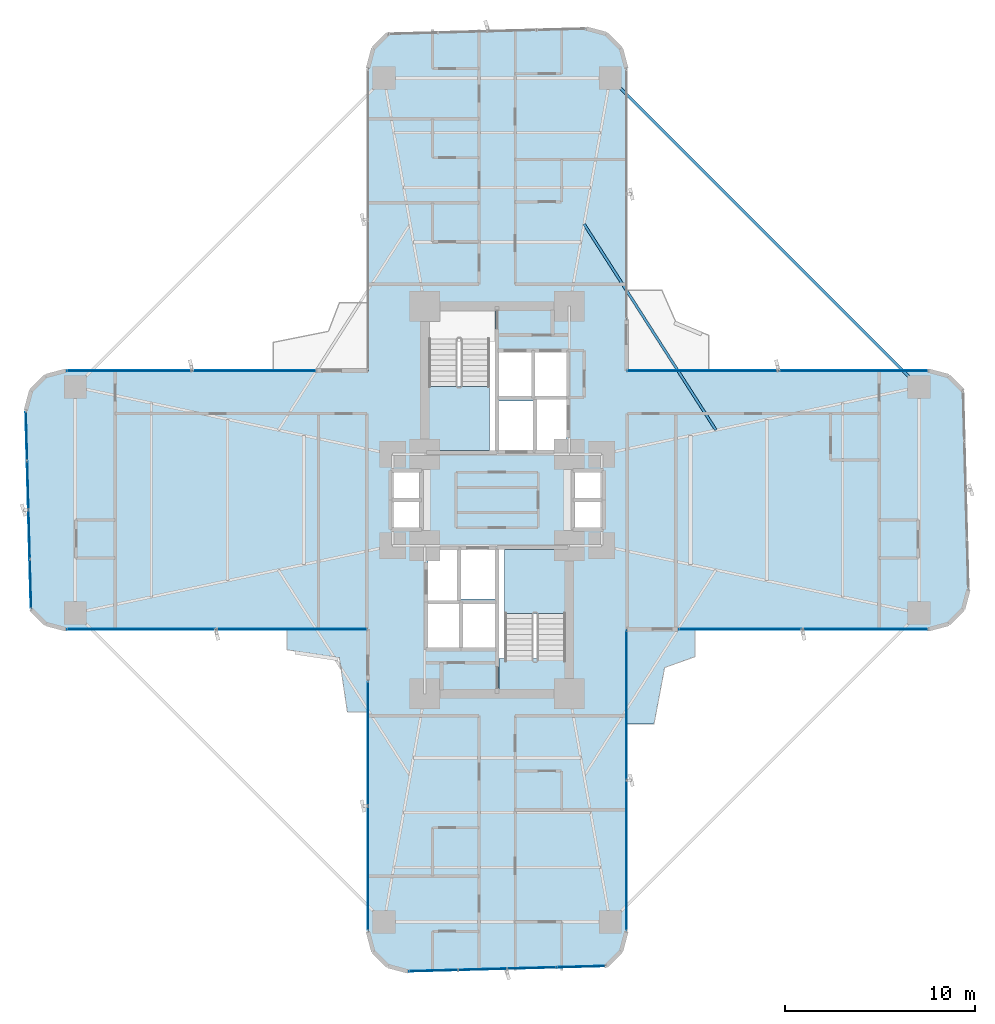
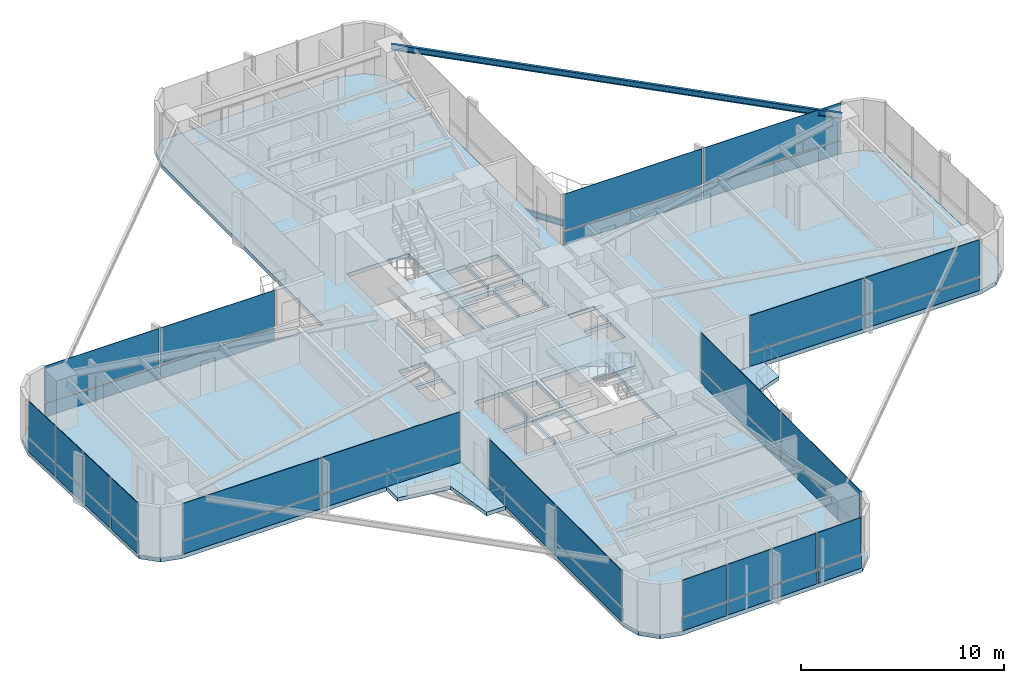
# One storey, part 20 of 25: 40 plates, 6 slabs, 2 beams, 10 elements without a shape of their own.
"""IFC4 building model written with IfcOpenShell, lengths in metres."""

from ifc_helpers import new_model, si_unit, direction, frame, origin, origin_2d, place, context, subcontext, project, spatial, polyline, rectangle, i_section, outline, extrude, source, transform, mapped, material, layer, layer_set, material_profile, profile_set, type_object, element, aggregate, save


model = new_model("IFC4")

# Units and contexts
model_context = context("Model", 3, precision=1e-05, world=origin(), true_north=direction((0.0, 1.0)))
body_context = subcontext(model_context, "Body", "Model", "MODEL_VIEW")
ifc_project = project(units=[si_unit("LENGTHUNIT", "METRE"), si_unit("AREAUNIT", "SQUARE_METRE"), si_unit("VOLUMEUNIT", "CUBIC_METRE"), si_unit("PLANEANGLEUNIT", "RADIAN"), si_unit("MASSUNIT", "GRAM", prefix="KILO")], contexts=[model_context])

# Site, building, storey
site_placement = place(None, origin())
site = spatial("IfcSite", under=ifc_project, at=site_placement, CompositionType="ELEMENT")
building_placement = place(site_placement, origin())
building = spatial("IfcBuilding", under=site, at=building_placement, Name="Sahyath Konkavel Grand Hotel", CompositionType="ELEMENT")
storey_placement = place(building_placement, frame((0.0, 0.0, 36.5)))
storey = spatial("IfcBuildingStorey", under=building, at=storey_placement, Name="L09", CompositionType="ELEMENT", Elevation=36.5)

# Beams
ifc_material_1 = material(Name="Steel E350", Category="steel")
ifc_material_profile_1 = material_profile(ifc_material_1, i_section(OverallWidth=0.139892578125, OverallDepth=0.35009765625, WebThickness=0.008056640625, FlangeThickness=0.01416015625, FilletRadius=0.013916015625, at=origin_2d()), Name="ISMB 350")
ifc_profile_set_1 = profile_set([ifc_material_profile_1], Name="Steel E350")
beam_type_1 = type_object("IfcBeamType", Name="BM-ISMB350", PredefinedType="BEAM", material=ifc_profile_set_1)
shared_shape_1 = source(origin(), body_context, "Body", "SweptSolid", [
    extrude(i_section(OverallWidth=0.139892578125, OverallDepth=0.35009765625, WebThickness=0.008056640625, FlangeThickness=0.01416015625, FilletRadius=0.013916015625, at=origin_2d()), origin(), (0.0, 0.0, 1.0), 22.98095703125),
])
beam_1_placement = place(storey_placement, frame((22.199951171875, 5.949951171875, 2.93505859375), z_axis=(-0.707106781187, 0.707106781187, 0.0), x_axis=(-0.707106781187, -0.707106781187, 0.0)))
element("IfcBeam", 1, at=beam_1_placement, inside=storey, type_object=beam_type_1, Name="L09 Re-Entrant Tie Beam NE", PredefinedType="BEAM", context=body_context, shape_type="MappedRepresentation", body=[
    mapped(shared_shape_1, transform((0.0, 0.0, 0.0), scale=1.0)),
])
ifc_material_profile_2 = material_profile(ifc_material_1, i_section(OverallWidth=0.139892578125, OverallDepth=0.35009765625, WebThickness=0.008056640625, FlangeThickness=0.01416015625, FilletRadius=0.013916015625, at=origin_2d()), Name="ISMB 350")
ifc_profile_set_2 = profile_set([ifc_material_profile_2], Name="Steel E350")
beam_type_2 = type_object("IfcBeamType", Name="BM-BALC-CANT", PredefinedType="BEAM", material=ifc_profile_set_2)
shared_shape_2 = source(origin(), body_context, "Body", "SweptSolid", [
    extrude(i_section(OverallWidth=0.139892578125, OverallDepth=0.35009765625, WebThickness=0.008056640625, FlangeThickness=0.01416015625, FilletRadius=0.013916015625, at=origin_2d()), origin(), (0.0, 0.0, 1.0), 12.871826171875),
])
beam_2_placement = place(storey_placement, frame((11.511962890625, 3.677978515625, -0.4150390625), z_axis=(-0.539003102535, 0.842303778608, 0.0), x_axis=(-0.842303778608, -0.539003102535, 0.0)))
element("IfcBeam", 2, at=beam_2_placement, inside=storey, type_object=beam_type_2, Name="L09 Balcony Cantilever Support Beam NE", PredefinedType="BEAM", context=body_context, shape_type="MappedRepresentation", body=[
    mapped(shared_shape_2, transform((0.0, 0.0, 0.0), scale=1.0)),
])

# Slabs
ifc_material_2 = material(Name="Concrete C40/50", Category="concrete")
ifc_layer_1 = layer(ifc_material_2, 0.239990234375)
ifc_layer_set_1 = layer_set([ifc_layer_1], Name="Concrete C40/50")
slab_type_1 = type_object("IfcSlabType", Name="SLB-240", PredefinedType="FLOOR", material=ifc_layer_set_1)
slab_1_placement = place(storey_placement, frame((0.0, 0.0, -0.239990234375)))
element("IfcSlab", 3, at=slab_1_placement, inside=storey, type_object=slab_type_1, Name="L09 Structural Floor Slab", PredefinedType="FLOOR", context=body_context, shape_type="SweptSolid", body=[
    extrude(outline(polyline([(6.800048828125, -6.800048828125), (22.699951171875, -6.800048828125), (23.75, -6.518798828125), (24.518798828125, -5.75), (24.800048828125, -4.699951171875), (24.518798828125, 5.75), (23.75, 6.518798828125), (22.699951171875, 6.800048828125), (6.800048828125, 6.800048828125), (6.800048828125, 22.699951171875), (6.518798828125, 23.75), (5.75, 24.518798828125), (4.699951171875, 24.800048828125), (-5.75, 24.518798828125), (-6.518798828125, 23.75), (-6.800048828125, 22.699951171875), (-6.800048828125, 6.800048828125), (-22.699951171875, 6.800048828125), (-23.75, 6.518798828125), (-24.518798828125, 5.75), (-24.800048828125, 4.699951171875), (-24.518798828125, -5.75), (-23.75, -6.518798828125), (-22.699951171875, -6.800048828125), (-6.800048828125, -6.800048828125), (-6.800048828125, -22.699951171875), (-6.518798828125, -23.75), (-5.75, -24.518798828125), (-4.699951171875, -24.800048828125), (5.75, -24.518798828125), (6.518798828125, -23.75), (6.800048828125, -22.699951171875), (6.800048828125, -6.800048828125)]), holes=[polyline([(-3.6201171875, 2.580078125), (-0.10009765625, 2.580078125), (-0.10009765625, 10.02001953125), (-3.6201171875, 10.02001953125), (-3.6201171875, 2.580078125)]), polyline([(0.10009765625, -10.02001953125), (3.6201171875, -10.02001953125), (3.6201171875, -2.580078125), (0.10009765625, -2.580078125), (0.10009765625, -10.02001953125)]), polyline([(0.10009765625, 2.60009765625), (1.949951171875, 2.60009765625), (1.949951171875, 5.199951171875), (0.10009765625, 5.199951171875), (0.10009765625, 2.60009765625)]), polyline([(-1.949951171875, -5.199951171875), (-0.10009765625, -5.199951171875), (-0.10009765625, -2.60009765625), (-1.949951171875, -2.60009765625), (-1.949951171875, -5.199951171875)]), polyline([(2.050048828125, 2.60009765625), (3.64990234375, 2.60009765625), (3.64990234375, 5.300048828125), (2.050048828125, 5.300048828125), (2.050048828125, 2.60009765625)]), polyline([(-3.64990234375, -5.300048828125), (-2.050048828125, -5.300048828125), (-2.050048828125, -2.60009765625), (-3.64990234375, -2.60009765625), (-3.64990234375, -5.300048828125)]), polyline([(0.10009765625, 5.449951171875), (1.85009765625, 5.449951171875), (1.85009765625, 7.75), (0.10009765625, 7.75), (0.10009765625, 5.449951171875)]), polyline([(1.949951171875, 5.449951171875), (3.64990234375, 5.449951171875), (3.64990234375, 7.75), (1.949951171875, 7.75), (1.949951171875, 5.449951171875)]), polyline([(-3.64990234375, -7.75), (-1.949951171875, -7.75), (-1.949951171875, -5.449951171875), (-3.64990234375, -5.449951171875), (-3.64990234375, -7.75)]), polyline([(-1.85009765625, -7.75), (-0.10009765625, -7.75), (-0.10009765625, -5.449951171875), (-1.85009765625, -5.449951171875), (-1.85009765625, -7.75)]), polyline([(4.050048828125, 0.080078125), (5.550048828125, 0.080078125), (5.550048828125, 1.5400390625), (4.050048828125, 1.5400390625), (4.050048828125, 0.080078125)]), polyline([(4.050048828125, -1.5400390625), (5.550048828125, -1.5400390625), (5.550048828125, -0.080078125), (4.050048828125, -0.080078125), (4.050048828125, -1.5400390625)]), polyline([(-5.550048828125, 0.080078125), (-4.050048828125, 0.080078125), (-4.050048828125, 1.5400390625), (-5.550048828125, 1.5400390625), (-5.550048828125, 0.080078125)]), polyline([(-5.550048828125, -1.5400390625), (-4.050048828125, -1.5400390625), (-4.050048828125, -0.080078125), (-5.550048828125, -0.080078125), (-5.550048828125, -1.5400390625)])]), origin(), (0.0, 0.0, 1.0), 0.239990234375),
])
ifc_layer_2 = layer(ifc_material_2, 0.219970703125)
ifc_layer_set_2 = layer_set([ifc_layer_2], Name="Concrete C40/50")
slab_type_2 = type_object("IfcSlabType", Name="SLB-BALCONY-220", PredefinedType="FLOOR", material=ifc_layer_set_2)
slab_2_placement = place(storey_placement, frame((0.0, 0.0, -0.219970703125)))
element("IfcSlab", 4, at=slab_2_placement, inside=storey, type_object=slab_type_2, Name="L09 Winter-Garden Balcony SW", PredefinedType="FLOOR", context=body_context, shape_type="SweptSolid", body=[
    extrude(outline(polyline([(-6.800048828125, -6.800048828125), (-11.055908203125, -6.800048828125), (-11.055908203125, -7.880615234375), (-8.301025390625, -8.301025390625), (-7.880615234375, -11.14404296875), (-6.800048828125, -11.14404296875), (-6.800048828125, -6.800048828125)])), origin(), (0.0, 0.0, 1.0), 0.219970703125),
])
slab_3_placement = place(storey_placement, frame((0.0, 0.0, -0.219970703125)))
element("IfcSlab", 5, at=slab_3_placement, inside=storey, type_object=slab_type_2, Name="L09 Winter-Garden Balcony SE", PredefinedType="FLOOR", context=body_context, shape_type="SweptSolid", body=[
    extrude(outline(polyline([(6.800048828125, -6.800048828125), (6.800048828125, -11.799072265625), (8.250732421875, -11.799072265625), (8.81494140625, -8.81494140625), (10.40087890625, -8.250732421875), (10.40087890625, -6.800048828125), (6.800048828125, -6.800048828125)])), origin(), (0.0, 0.0, 1.0), 0.219970703125),
])

# Stair, slab
stair_type = type_object("IfcStairType", Name="STR-ST16-335", PredefinedType="HALF_TURN_STAIR", material=ifc_material_2)
stair_1_placement = place(storey_placement, origin())
stair_1 = element("IfcStair", 6, at=stair_1_placement, inside=storey, type_object=stair_type, Name="L09 North Core Smokeproof Exit Stair ST-1", PredefinedType="HALF_TURN_STAIR")
ifc_layer_3 = layer(ifc_material_2, 0.199951171875)
ifc_layer_set_3 = layer_set([ifc_layer_3], Name="Concrete C40/50")
slab_type_3 = type_object("IfcSlabType", Name="SLB-STAIR-LND", PredefinedType="LANDING", material=ifc_layer_set_3)
slab_4_placement = place(storey_placement, frame((0.0, 0.0, 1.47509765625)))
slab_4 = element("IfcSlab", 7, at=slab_4_placement, type_object=slab_type_3, Name="ST-1 landing 1", PredefinedType="LANDING", context=body_context, shape_type="SweptSolid", body=[
    extrude(outline(polyline([(-3.60009765625, 5.9599609375), (-3.60009765625, 2.60009765625), (-0.39990234375, 2.60009765625), (-0.39990234375, 5.9599609375), (-3.60009765625, 5.9599609375)])), origin(), (0.0, 0.0, 1.0), 0.199951171875),
])
aggregate(stair_1, [slab_4])

stair_2_placement = place(storey_placement, origin())
stair_2 = element("IfcStair", 8, at=stair_2_placement, inside=storey, type_object=stair_type, Name="L09 South Core Smokeproof Exit Stair ST-2", PredefinedType="HALF_TURN_STAIR")
slab_5_placement = place(storey_placement, frame((0.0, 0.0, 1.47509765625)))
slab_5 = element("IfcSlab", 9, at=slab_5_placement, type_object=slab_type_3, Name="ST-2 landing 1", PredefinedType="LANDING", context=body_context, shape_type="SweptSolid", body=[
    extrude(outline(polyline([(3.60009765625, -5.9599609375), (3.60009765625, -2.60009765625), (0.39990234375, -2.60009765625), (0.39990234375, -5.9599609375), (3.60009765625, -5.9599609375)])), origin(), (0.0, 0.0, 1.0), 0.199951171875),
])
aggregate(stair_2, [slab_5])

# Slab
slab_6_placement = place(storey_placement, frame((0.0, 0.0, -0.199951171875)))
element("IfcSlab", 10, at=slab_6_placement, inside=storey, type_object=slab_type_3, Name="L09 Stair ST-2 Floor Landing Slab", PredefinedType="LANDING", context=body_context, shape_type="SweptSolid", body=[
    extrude(outline(polyline([(0.10009765625, -10.02001953125), (3.6201171875, -10.02001953125), (3.6201171875, -8.35009765625), (0.10009765625, -8.35009765625), (0.10009765625, -10.02001953125)])), origin(), (0.0, 0.0, 1.0), 0.199951171875),
])

# Curtain wall, plates
ifc_material_3 = material(Name="Anodised Bronze Aluminium & Low-E Glazing", Category="aluminium")
curtain_wall_type = type_object("IfcCurtainWallType", Name="CW-ZONE1", PredefinedType="NOTDEFINED", material=ifc_material_3)
curtain_wall_1_placement = place(storey_placement, origin())
curtain_wall_1 = element("IfcCurtainWall", 11, at=curtain_wall_1_placement, inside=storey, type_object=curtain_wall_type, Name="L09 Unitised Curtain Wall F7", PredefinedType="NOTDEFINED")
ifc_material_4 = material(Name="Warm Buff Sandstone Cladding", Category="masonry")
ifc_layer_4 = layer(ifc_material_4, 0.074951171875)
ifc_layer_set_4 = layer_set([ifc_layer_4], Name="Warm Buff Sandstone Cladding")
plate_type_1 = type_object("IfcPlateType", Name="PNL-SPANDREL-STONE", PredefinedType="SHEET", material=ifc_layer_set_4)
shared_shape_3 = source(origin(), body_context, "Body", "SweptSolid", [
    extrude(rectangle(XDim=7.830078125, YDim=0.074951171875, at=origin_2d()), origin(), (0.0, 0.0, 1.0), 0.77001953125),
])
plate_1_placement = place(storey_placement, frame((18.705078125, 6.800048828125, 0.0400390625), z_axis=(0.0, 0.0, 1.0), x_axis=(-1.0, 0.0, 0.0)))
plate_1 = element("IfcPlate", 12, at=plate_1_placement, type_object=plate_type_1, Name="L09 Sandstone Relief Spandrel Panel F7-0", PredefinedType="SHEET", context=body_context, shape_type="MappedRepresentation", body=[
    mapped(shared_shape_3, transform((0.0, 0.0, 0.0), scale=1.0)),
])
plate_2_placement = place(storey_placement, frame((10.794921875, 6.800048828125, 0.0400390625), z_axis=(0.0, 0.0, 1.0), x_axis=(-1.0, 0.0, 0.0)))
plate_2 = element("IfcPlate", 13, at=plate_2_placement, type_object=plate_type_1, Name="L09 Sandstone Relief Spandrel Panel F7-1", PredefinedType="SHEET", context=body_context, shape_type="MappedRepresentation", body=[
    mapped(shared_shape_3, transform((0.0, 0.0, 0.0), scale=1.0)),
])

curtain_wall_2_placement = place(storey_placement, origin())
curtain_wall_2 = element("IfcCurtainWall", 14, at=curtain_wall_2_placement, inside=storey, type_object=curtain_wall_type, Name="L09 Unitised Curtain Wall F23", PredefinedType="NOTDEFINED")
plate_3_placement = place(storey_placement, frame((-18.705078125, -6.800048828125, 0.0400390625), z_axis=(0.0, 0.0, 1.0), x_axis=(1.0, 0.0, 0.0)))
plate_3 = element("IfcPlate", 15, at=plate_3_placement, type_object=plate_type_1, Name="L09 Sandstone Relief Spandrel Panel F23-0", PredefinedType="SHEET", context=body_context, shape_type="MappedRepresentation", body=[
    mapped(shared_shape_3, transform((0.0, 0.0, 0.0), scale=1.0)),
])
plate_4_placement = place(storey_placement, frame((-10.794921875, -6.800048828125, 0.0400390625), z_axis=(0.0, 0.0, 1.0), x_axis=(1.0, 0.0, 0.0)))
plate_4 = element("IfcPlate", 16, at=plate_4_placement, type_object=plate_type_1, Name="L09 Sandstone Relief Spandrel Panel F23-1", PredefinedType="SHEET", context=body_context, shape_type="MappedRepresentation", body=[
    mapped(shared_shape_3, transform((0.0, 0.0, 0.0), scale=1.0)),
])

curtain_wall_3_placement = place(storey_placement, origin())
curtain_wall_3 = element("IfcCurtainWall", 17, at=curtain_wall_3_placement, inside=storey, type_object=curtain_wall_type, Name="L09 Unitised Curtain Wall F31", PredefinedType="NOTDEFINED")
plate_5_placement = place(storey_placement, frame((6.800048828125, -18.705078125, 0.0400390625), z_axis=(0.0, 0.0, 1.0), x_axis=(0.0, 1.0, 0.0)))
plate_5 = element("IfcPlate", 18, at=plate_5_placement, type_object=plate_type_1, Name="L09 Sandstone Relief Spandrel Panel F31-0", PredefinedType="SHEET", context=body_context, shape_type="MappedRepresentation", body=[
    mapped(shared_shape_3, transform((0.0, 0.0, 0.0), scale=1.0)),
])
plate_6_placement = place(storey_placement, frame((6.800048828125, -10.794921875, 0.0400390625), z_axis=(0.0, 0.0, 1.0), x_axis=(0.0, 1.0, 0.0)))
plate_6 = element("IfcPlate", 19, at=plate_6_placement, type_object=plate_type_1, Name="L09 Sandstone Relief Spandrel Panel F31-1", PredefinedType="SHEET", context=body_context, shape_type="MappedRepresentation", body=[
    mapped(shared_shape_3, transform((0.0, 0.0, 0.0), scale=1.0)),
])

# Plate
ifc_material_5 = material(Name="Low-E Solar Control Double Glazing", Category="glass")
ifc_layer_5 = layer(ifc_material_5, 0.035888671875)
ifc_layer_set_5 = layer_set([ifc_layer_5], Name="Low-E Solar Control Double Glazing")
plate_type_2 = type_object("IfcPlateType", Name="PNL-VISION-LOWE", PredefinedType="CURTAIN_PANEL", material=ifc_layer_set_5)
shared_shape_4 = source(origin(), body_context, "Body", "SweptSolid", [
    extrude(rectangle(XDim=7.830078125, YDim=0.035888671875, at=origin_2d()), origin(), (0.0, 0.0, 1.0), 2.179931640625),
])
plate_7_placement = place(storey_placement, frame((18.705078125, 6.800048828125, 0.89013671875), z_axis=(0.0, 0.0, 1.0), x_axis=(-1.0, 0.0, 0.0)))
plate_7 = element("IfcPlate", 20, at=plate_7_placement, type_object=plate_type_2, Name="L09 Low-E Vision Glazing Panel F7-0", PredefinedType="CURTAIN_PANEL", context=body_context, shape_type="MappedRepresentation", body=[
    mapped(shared_shape_4, transform((0.0, 0.0, 0.0), scale=1.0)),
])

plate_8_placement = place(storey_placement, frame((10.794921875, 6.800048828125, 0.89013671875), z_axis=(0.0, 0.0, 1.0), x_axis=(-1.0, 0.0, 0.0)))
plate_8 = element("IfcPlate", 21, at=plate_8_placement, type_object=plate_type_2, Name="L09 Low-E Vision Glazing Panel F7-1", PredefinedType="CURTAIN_PANEL", context=body_context, shape_type="MappedRepresentation", body=[
    mapped(shared_shape_4, transform((0.0, 0.0, 0.0), scale=1.0)),
])

aggregate(curtain_wall_1, [plate_1, plate_7, plate_2, plate_8])

plate_9_placement = place(storey_placement, frame((-18.705078125, -6.800048828125, 0.89013671875), z_axis=(0.0, 0.0, 1.0), x_axis=(1.0, 0.0, 0.0)))
plate_9 = element("IfcPlate", 22, at=plate_9_placement, type_object=plate_type_2, Name="L09 Low-E Vision Glazing Panel F23-0", PredefinedType="CURTAIN_PANEL", context=body_context, shape_type="MappedRepresentation", body=[
    mapped(shared_shape_4, transform((0.0, 0.0, 0.0), scale=1.0)),
])

plate_10_placement = place(storey_placement, frame((-10.794921875, -6.800048828125, 0.89013671875), z_axis=(0.0, 0.0, 1.0), x_axis=(1.0, 0.0, 0.0)))
plate_10 = element("IfcPlate", 23, at=plate_10_placement, type_object=plate_type_2, Name="L09 Low-E Vision Glazing Panel F23-1", PredefinedType="CURTAIN_PANEL", context=body_context, shape_type="MappedRepresentation", body=[
    mapped(shared_shape_4, transform((0.0, 0.0, 0.0), scale=1.0)),
])

aggregate(curtain_wall_2, [plate_3, plate_9, plate_4, plate_10])

plate_11_placement = place(storey_placement, frame((6.800048828125, -18.705078125, 0.89013671875), z_axis=(0.0, 0.0, 1.0), x_axis=(0.0, 1.0, 0.0)))
plate_11 = element("IfcPlate", 24, at=plate_11_placement, type_object=plate_type_2, Name="L09 Low-E Vision Glazing Panel F31-0", PredefinedType="CURTAIN_PANEL", context=body_context, shape_type="MappedRepresentation", body=[
    mapped(shared_shape_4, transform((0.0, 0.0, 0.0), scale=1.0)),
])

plate_12_placement = place(storey_placement, frame((6.800048828125, -10.794921875, 0.89013671875), z_axis=(0.0, 0.0, 1.0), x_axis=(0.0, 1.0, 0.0)))
plate_12 = element("IfcPlate", 25, at=plate_12_placement, type_object=plate_type_2, Name="L09 Low-E Vision Glazing Panel F31-1", PredefinedType="CURTAIN_PANEL", context=body_context, shape_type="MappedRepresentation", body=[
    mapped(shared_shape_4, transform((0.0, 0.0, 0.0), scale=1.0)),
])

aggregate(curtain_wall_3, [plate_5, plate_11, plate_6, plate_12])

# Curtain wall, plates
curtain_wall_4_placement = place(storey_placement, origin())
curtain_wall_4 = element("IfcCurtainWall", 26, at=curtain_wall_4_placement, inside=storey, type_object=curtain_wall_type, Name="L09 Unitised Curtain Wall F20", PredefinedType="NOTDEFINED")
shared_shape_5 = source(origin(), body_context, "Body", "SweptSolid", [
    extrude(rectangle(XDim=2.513427734375, YDim=0.074951171875, at=origin_2d()), origin(), (0.0, 0.0, 1.0), 0.77001953125),
])
plate_13_placement = place(storey_placement, frame((-24.763916015625, 3.36376953125, 0.0400390625), z_axis=(0.0, 0.0, 1.0), x_axis=(0.026909728301, -0.999637867691, 0.0)))
plate_13 = element("IfcPlate", 27, at=plate_13_placement, type_object=plate_type_1, Name="L09 Sandstone Relief Spandrel Panel F20-0", PredefinedType="SHEET", context=body_context, shape_type="MappedRepresentation", body=[
    mapped(shared_shape_5, transform((0.0, 0.0, 0.0), scale=1.0)),
])
plate_14_placement = place(storey_placement, frame((-24.694091796875, 0.771240234375, 0.0400390625), z_axis=(0.0, 0.0, 1.0), x_axis=(0.026909728301, -0.999637867691, 0.0)))
plate_14 = element("IfcPlate", 28, at=plate_14_placement, type_object=plate_type_1, Name="L09 Sandstone Relief Spandrel Panel F20-1", PredefinedType="SHEET", context=body_context, shape_type="MappedRepresentation", body=[
    mapped(shared_shape_5, transform((0.0, 0.0, 0.0), scale=1.0)),
])
plate_15_placement = place(storey_placement, frame((-24.62451171875, -1.8212890625, 0.0400390625), z_axis=(0.0, 0.0, 1.0), x_axis=(0.026909728301, -0.999637867691, 0.0)))
plate_15 = element("IfcPlate", 29, at=plate_15_placement, type_object=plate_type_1, Name="L09 Sandstone Relief Spandrel Panel F20-2", PredefinedType="SHEET", context=body_context, shape_type="MappedRepresentation", body=[
    mapped(shared_shape_5, transform((0.0, 0.0, 0.0), scale=1.0)),
])
plate_16_placement = place(storey_placement, frame((-24.5546875, -4.413818359375, 0.0400390625), z_axis=(0.0, 0.0, 1.0), x_axis=(0.026909728301, -0.999637867691, 0.0)))
plate_16 = element("IfcPlate", 30, at=plate_16_placement, type_object=plate_type_1, Name="L09 Sandstone Relief Spandrel Panel F20-3", PredefinedType="SHEET", context=body_context, shape_type="MappedRepresentation", body=[
    mapped(shared_shape_5, transform((0.0, 0.0, 0.0), scale=1.0)),
])

curtain_wall_5_placement = place(storey_placement, origin())
curtain_wall_5 = element("IfcCurtainWall", 31, at=curtain_wall_5_placement, inside=storey, type_object=curtain_wall_type, Name="L09 Unitised Curtain Wall F28", PredefinedType="NOTDEFINED")
plate_17_placement = place(storey_placement, frame((-3.36376953125, -24.763916015625, 0.0400390625), z_axis=(0.0, 0.0, 1.0), x_axis=(0.999637867691, 0.026909728301, 0.0)))
plate_17 = element("IfcPlate", 32, at=plate_17_placement, type_object=plate_type_1, Name="L09 Sandstone Relief Spandrel Panel F28-0", PredefinedType="SHEET", context=body_context, shape_type="MappedRepresentation", body=[
    mapped(shared_shape_5, transform((0.0, 0.0, 0.0), scale=1.0)),
])
plate_18_placement = place(storey_placement, frame((-0.771240234375, -24.694091796875, 0.0400390625), z_axis=(0.0, 0.0, 1.0), x_axis=(0.999637867691, 0.026909728301, 0.0)))
plate_18 = element("IfcPlate", 33, at=plate_18_placement, type_object=plate_type_1, Name="L09 Sandstone Relief Spandrel Panel F28-1", PredefinedType="SHEET", context=body_context, shape_type="MappedRepresentation", body=[
    mapped(shared_shape_5, transform((0.0, 0.0, 0.0), scale=1.0)),
])
plate_19_placement = place(storey_placement, frame((1.8212890625, -24.62451171875, 0.0400390625), z_axis=(0.0, 0.0, 1.0), x_axis=(0.999637867691, 0.026909728301, 0.0)))
plate_19 = element("IfcPlate", 34, at=plate_19_placement, type_object=plate_type_1, Name="L09 Sandstone Relief Spandrel Panel F28-2", PredefinedType="SHEET", context=body_context, shape_type="MappedRepresentation", body=[
    mapped(shared_shape_5, transform((0.0, 0.0, 0.0), scale=1.0)),
])
plate_20_placement = place(storey_placement, frame((4.413818359375, -24.5546875, 0.0400390625), z_axis=(0.0, 0.0, 1.0), x_axis=(0.999637867691, 0.026909728301, 0.0)))
plate_20 = element("IfcPlate", 35, at=plate_20_placement, type_object=plate_type_1, Name="L09 Sandstone Relief Spandrel Panel F28-3", PredefinedType="SHEET", context=body_context, shape_type="MappedRepresentation", body=[
    mapped(shared_shape_5, transform((0.0, 0.0, 0.0), scale=1.0)),
])

# Plate
shared_shape_6 = source(origin(), body_context, "Body", "SweptSolid", [
    extrude(rectangle(XDim=2.513427734375, YDim=0.035888671875, at=origin_2d()), origin(), (0.0, 0.0, 1.0), 2.179931640625),
])
plate_21_placement = place(storey_placement, frame((-24.763916015625, 3.36376953125, 0.89013671875), z_axis=(0.0, 0.0, 1.0), x_axis=(0.026909728301, -0.999637867691, 0.0)))
plate_21 = element("IfcPlate", 36, at=plate_21_placement, type_object=plate_type_2, Name="L09 Low-E Vision Glazing Panel F20-0", PredefinedType="CURTAIN_PANEL", context=body_context, shape_type="MappedRepresentation", body=[
    mapped(shared_shape_6, transform((0.0, 0.0, 0.0), scale=1.0)),
])

plate_22_placement = place(storey_placement, frame((-24.694091796875, 0.771240234375, 0.89013671875), z_axis=(0.0, 0.0, 1.0), x_axis=(0.026909728301, -0.999637867691, 0.0)))
plate_22 = element("IfcPlate", 37, at=plate_22_placement, type_object=plate_type_2, Name="L09 Low-E Vision Glazing Panel F20-1", PredefinedType="CURTAIN_PANEL", context=body_context, shape_type="MappedRepresentation", body=[
    mapped(shared_shape_6, transform((0.0, 0.0, 0.0), scale=1.0)),
])

plate_23_placement = place(storey_placement, frame((-24.62451171875, -1.8212890625, 0.89013671875), z_axis=(0.0, 0.0, 1.0), x_axis=(0.026909728301, -0.999637867691, 0.0)))
plate_23 = element("IfcPlate", 38, at=plate_23_placement, type_object=plate_type_2, Name="L09 Low-E Vision Glazing Panel F20-2", PredefinedType="CURTAIN_PANEL", context=body_context, shape_type="MappedRepresentation", body=[
    mapped(shared_shape_6, transform((0.0, 0.0, 0.0), scale=1.0)),
])

plate_24_placement = place(storey_placement, frame((-24.5546875, -4.413818359375, 0.89013671875), z_axis=(0.0, 0.0, 1.0), x_axis=(0.026909728301, -0.999637867691, 0.0)))
plate_24 = element("IfcPlate", 39, at=plate_24_placement, type_object=plate_type_2, Name="L09 Low-E Vision Glazing Panel F20-3", PredefinedType="CURTAIN_PANEL", context=body_context, shape_type="MappedRepresentation", body=[
    mapped(shared_shape_6, transform((0.0, 0.0, 0.0), scale=1.0)),
])

aggregate(curtain_wall_4, [plate_13, plate_21, plate_14, plate_22, plate_15, plate_23, plate_16, plate_24])

plate_25_placement = place(storey_placement, frame((-3.36376953125, -24.763916015625, 0.89013671875), z_axis=(0.0, 0.0, 1.0), x_axis=(0.999637867691, 0.026909728301, 0.0)))
plate_25 = element("IfcPlate", 40, at=plate_25_placement, type_object=plate_type_2, Name="L09 Low-E Vision Glazing Panel F28-0", PredefinedType="CURTAIN_PANEL", context=body_context, shape_type="MappedRepresentation", body=[
    mapped(shared_shape_6, transform((0.0, 0.0, 0.0), scale=1.0)),
])

plate_26_placement = place(storey_placement, frame((-0.771240234375, -24.694091796875, 0.89013671875), z_axis=(0.0, 0.0, 1.0), x_axis=(0.999637867691, 0.026909728301, 0.0)))
plate_26 = element("IfcPlate", 41, at=plate_26_placement, type_object=plate_type_2, Name="L09 Low-E Vision Glazing Panel F28-1", PredefinedType="CURTAIN_PANEL", context=body_context, shape_type="MappedRepresentation", body=[
    mapped(shared_shape_6, transform((0.0, 0.0, 0.0), scale=1.0)),
])

plate_27_placement = place(storey_placement, frame((1.8212890625, -24.62451171875, 0.89013671875), z_axis=(0.0, 0.0, 1.0), x_axis=(0.999637867691, 0.026909728301, 0.0)))
plate_27 = element("IfcPlate", 42, at=plate_27_placement, type_object=plate_type_2, Name="L09 Low-E Vision Glazing Panel F28-2", PredefinedType="CURTAIN_PANEL", context=body_context, shape_type="MappedRepresentation", body=[
    mapped(shared_shape_6, transform((0.0, 0.0, 0.0), scale=1.0)),
])

plate_28_placement = place(storey_placement, frame((4.413818359375, -24.5546875, 0.89013671875), z_axis=(0.0, 0.0, 1.0), x_axis=(0.999637867691, 0.026909728301, 0.0)))
plate_28 = element("IfcPlate", 43, at=plate_28_placement, type_object=plate_type_2, Name="L09 Low-E Vision Glazing Panel F28-3", PredefinedType="CURTAIN_PANEL", context=body_context, shape_type="MappedRepresentation", body=[
    mapped(shared_shape_6, transform((0.0, 0.0, 0.0), scale=1.0)),
])

aggregate(curtain_wall_5, [plate_17, plate_25, plate_18, plate_26, plate_19, plate_27, plate_20, plate_28])

# Curtain wall, plates
curtain_wall_6_placement = place(storey_placement, origin())
curtain_wall_6 = element("IfcCurtainWall", 44, at=curtain_wall_6_placement, inside=storey, type_object=curtain_wall_type, Name="L09 Unitised Curtain Wall F0", PredefinedType="NOTDEFINED")
shared_shape_7 = source(origin(), body_context, "Body", "SweptSolid", [
    extrude(rectangle(XDim=6.47998046875, YDim=0.074951171875, at=origin_2d()), origin(), (0.0, 0.0, 1.0), 0.77001953125),
])
plate_29_placement = place(storey_placement, frame((12.820068359375, -6.800048828125, 0.0400390625), z_axis=(0.0, 0.0, 1.0), x_axis=(1.0, 0.0, 0.0)))
plate_29 = element("IfcPlate", 45, at=plate_29_placement, type_object=plate_type_1, Name="L09 Sandstone Relief Spandrel Panel F0-0", PredefinedType="SHEET", context=body_context, shape_type="MappedRepresentation", body=[
    mapped(shared_shape_7, transform((0.0, 0.0, 0.0), scale=1.0)),
])
plate_30_placement = place(storey_placement, frame((19.3798828125, -6.800048828125, 0.0400390625), z_axis=(0.0, 0.0, 1.0), x_axis=(1.0, 0.0, 0.0)))
plate_30 = element("IfcPlate", 46, at=plate_30_placement, type_object=plate_type_1, Name="L09 Sandstone Relief Spandrel Panel F0-1", PredefinedType="SHEET", context=body_context, shape_type="MappedRepresentation", body=[
    mapped(shared_shape_7, transform((0.0, 0.0, 0.0), scale=1.0)),
])

curtain_wall_7_placement = place(storey_placement, origin())
curtain_wall_7 = element("IfcCurtainWall", 47, at=curtain_wall_7_placement, inside=storey, type_object=curtain_wall_type, Name="L09 Unitised Curtain Wall F16", PredefinedType="NOTDEFINED")
plate_31_placement = place(storey_placement, frame((-12.820068359375, 6.800048828125, 0.0400390625), z_axis=(0.0, 0.0, 1.0), x_axis=(-1.0, 0.0, 0.0)))
plate_31 = element("IfcPlate", 48, at=plate_31_placement, type_object=plate_type_1, Name="L09 Sandstone Relief Spandrel Panel F16-0", PredefinedType="SHEET", context=body_context, shape_type="MappedRepresentation", body=[
    mapped(shared_shape_7, transform((0.0, 0.0, 0.0), scale=1.0)),
])
plate_32_placement = place(storey_placement, frame((-19.3798828125, 6.800048828125, 0.0400390625), z_axis=(0.0, 0.0, 1.0), x_axis=(-1.0, 0.0, 0.0)))
plate_32 = element("IfcPlate", 49, at=plate_32_placement, type_object=plate_type_1, Name="L09 Sandstone Relief Spandrel Panel F16-1", PredefinedType="SHEET", context=body_context, shape_type="MappedRepresentation", body=[
    mapped(shared_shape_7, transform((0.0, 0.0, 0.0), scale=1.0)),
])

curtain_wall_8_placement = place(storey_placement, origin())
curtain_wall_8 = element("IfcCurtainWall", 50, at=curtain_wall_8_placement, inside=storey, type_object=curtain_wall_type, Name="L09 Unitised Curtain Wall F24", PredefinedType="NOTDEFINED")
plate_33_placement = place(storey_placement, frame((-6.800048828125, -12.820068359375, 0.0400390625), z_axis=(0.0, 0.0, 1.0), x_axis=(0.0, -1.0, 0.0)))
plate_33 = element("IfcPlate", 51, at=plate_33_placement, type_object=plate_type_1, Name="L09 Sandstone Relief Spandrel Panel F24-0", PredefinedType="SHEET", context=body_context, shape_type="MappedRepresentation", body=[
    mapped(shared_shape_7, transform((0.0, 0.0, 0.0), scale=1.0)),
])
plate_34_placement = place(storey_placement, frame((-6.800048828125, -19.3798828125, 0.0400390625), z_axis=(0.0, 0.0, 1.0), x_axis=(0.0, -1.0, 0.0)))
plate_34 = element("IfcPlate", 52, at=plate_34_placement, type_object=plate_type_1, Name="L09 Sandstone Relief Spandrel Panel F24-1", PredefinedType="SHEET", context=body_context, shape_type="MappedRepresentation", body=[
    mapped(shared_shape_7, transform((0.0, 0.0, 0.0), scale=1.0)),
])

# Plate
shared_shape_8 = source(origin(), body_context, "Body", "SweptSolid", [
    extrude(rectangle(XDim=6.47998046875, YDim=0.035888671875, at=origin_2d()), origin(), (0.0, 0.0, 1.0), 2.179931640625),
])
plate_35_placement = place(storey_placement, frame((12.820068359375, -6.800048828125, 0.89013671875), z_axis=(0.0, 0.0, 1.0), x_axis=(1.0, 0.0, 0.0)))
plate_35 = element("IfcPlate", 53, at=plate_35_placement, type_object=plate_type_2, Name="L09 Low-E Vision Glazing Panel F0-0", PredefinedType="CURTAIN_PANEL", context=body_context, shape_type="MappedRepresentation", body=[
    mapped(shared_shape_8, transform((0.0, 0.0, 0.0), scale=1.0)),
])

plate_36_placement = place(storey_placement, frame((19.3798828125, -6.800048828125, 0.89013671875), z_axis=(0.0, 0.0, 1.0), x_axis=(1.0, 0.0, 0.0)))
plate_36 = element("IfcPlate", 54, at=plate_36_placement, type_object=plate_type_2, Name="L09 Low-E Vision Glazing Panel F0-1", PredefinedType="CURTAIN_PANEL", context=body_context, shape_type="MappedRepresentation", body=[
    mapped(shared_shape_8, transform((0.0, 0.0, 0.0), scale=1.0)),
])

aggregate(curtain_wall_6, [plate_29, plate_35, plate_30, plate_36])

plate_37_placement = place(storey_placement, frame((-12.820068359375, 6.800048828125, 0.89013671875), z_axis=(0.0, 0.0, 1.0), x_axis=(-1.0, 0.0, 0.0)))
plate_37 = element("IfcPlate", 55, at=plate_37_placement, type_object=plate_type_2, Name="L09 Low-E Vision Glazing Panel F16-0", PredefinedType="CURTAIN_PANEL", context=body_context, shape_type="MappedRepresentation", body=[
    mapped(shared_shape_8, transform((0.0, 0.0, 0.0), scale=1.0)),
])

plate_38_placement = place(storey_placement, frame((-19.3798828125, 6.800048828125, 0.89013671875), z_axis=(0.0, 0.0, 1.0), x_axis=(-1.0, 0.0, 0.0)))
plate_38 = element("IfcPlate", 56, at=plate_38_placement, type_object=plate_type_2, Name="L09 Low-E Vision Glazing Panel F16-1", PredefinedType="CURTAIN_PANEL", context=body_context, shape_type="MappedRepresentation", body=[
    mapped(shared_shape_8, transform((0.0, 0.0, 0.0), scale=1.0)),
])

aggregate(curtain_wall_7, [plate_31, plate_37, plate_32, plate_38])

plate_39_placement = place(storey_placement, frame((-6.800048828125, -12.820068359375, 0.89013671875), z_axis=(0.0, 0.0, 1.0), x_axis=(0.0, -1.0, 0.0)))
plate_39 = element("IfcPlate", 57, at=plate_39_placement, type_object=plate_type_2, Name="L09 Low-E Vision Glazing Panel F24-0", PredefinedType="CURTAIN_PANEL", context=body_context, shape_type="MappedRepresentation", body=[
    mapped(shared_shape_8, transform((0.0, 0.0, 0.0), scale=1.0)),
])

plate_40_placement = place(storey_placement, frame((-6.800048828125, -19.3798828125, 0.89013671875), z_axis=(0.0, 0.0, 1.0), x_axis=(0.0, -1.0, 0.0)))
plate_40 = element("IfcPlate", 58, at=plate_40_placement, type_object=plate_type_2, Name="L09 Low-E Vision Glazing Panel F24-1", PredefinedType="CURTAIN_PANEL", context=body_context, shape_type="MappedRepresentation", body=[
    mapped(shared_shape_8, transform((0.0, 0.0, 0.0), scale=1.0)),
])

aggregate(curtain_wall_8, [plate_33, plate_39, plate_34, plate_40])

save(model, "model.ifc")
